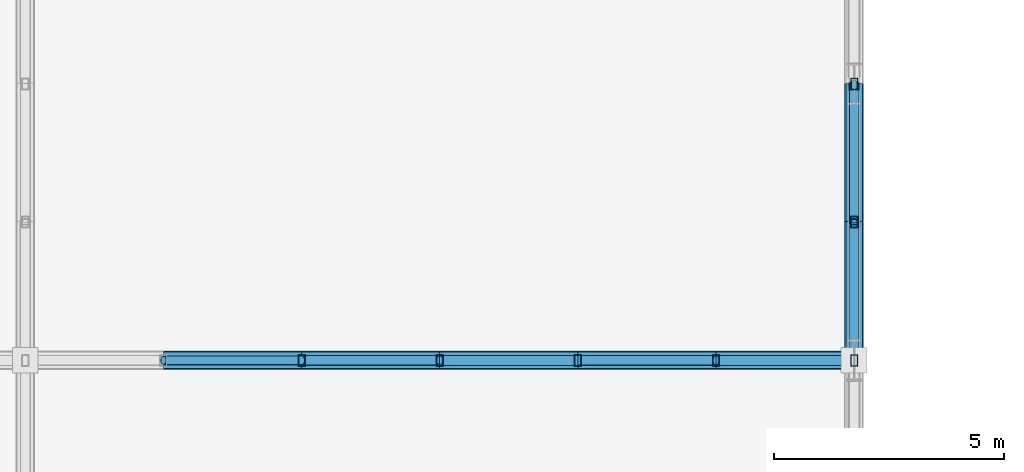
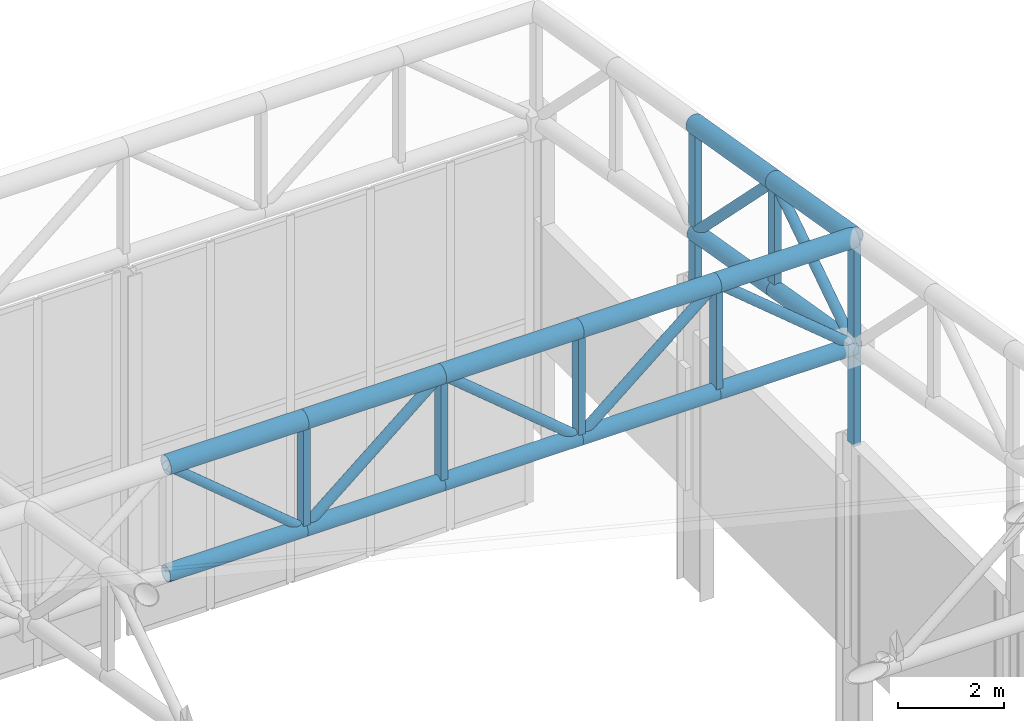
# One storey, part 135 of 239: 28 members.
"""IFC4 building model written with IfcOpenShell, lengths in metres."""

from ifc_helpers import new_model, si_unit, direction, frame, origin, origin_2d, place, context, subcontext, project, spatial, hollow_rectangle, hollow_circle, extrude, material, material_profile, profile_set, type_object, element, save


model = new_model("IFC4")

# Units and contexts
model_context = context("Model", 3, precision=1e-05, world=origin(), true_north=direction((0.0, 1.0)))
body_context = subcontext(model_context, "Body", "Model", "MODEL_VIEW")
ifc_project = project(units=[si_unit("LENGTHUNIT", "METRE"), si_unit("AREAUNIT", "SQUARE_METRE"), si_unit("VOLUMEUNIT", "CUBIC_METRE"), si_unit("PLANEANGLEUNIT", "RADIAN"), si_unit("MASSUNIT", "GRAM", prefix="KILO")], contexts=[model_context])

# Site, building, storey
site_placement = place(None, origin())
site = spatial("IfcSite", under=ifc_project, at=site_placement, CompositionType="ELEMENT")
building_placement = place(site_placement, origin())
building = spatial("IfcBuilding", under=site, at=building_placement, Name="Kaldris Quays Convention Centre", CompositionType="ELEMENT")
storey_placement = place(building_placement, frame((0.0, 0.0, 11.39990234375)))
storey = spatial("IfcBuildingStorey", under=building, at=storey_placement, Name="L02", CompositionType="ELEMENT", Elevation=11.39990234375)

# Members
ifc_material = material(Name="Steel S355J2H", Category="steel")
ifc_material_profile_1 = material_profile(ifc_material, hollow_circle(Radius=0.203125, WallThickness=0.01611328125, at=origin_2d()), Name="CHS 406.4x16")
ifc_profile_set_1 = profile_set([ifc_material_profile_1], Name="Steel S355J2H")
member_type_1 = type_object("IfcMemberType", Name="STRUCTURAL MEMBER SC01", PredefinedType="CHORD", material=ifc_profile_set_1)
for number, where, z_axis, x_axis, name in (
    (1, (131.0, 128.0, 11.72900390625), (1.0, 0.0, 0.0), (0.0, 1.0, 0.0), "SF-V1 Top Chord X 290"),
    (2, (134.0, 128.0, 11.72900390625), (1.0, 0.0, 0.0), (0.0, 1.0, 0.0), "SF-V1 Top Chord X 291"),
    (3, (137.0, 128.0, 11.72900390625), (1.0, 0.0, 0.0), (0.0, 1.0, 0.0), "SF-V1 Top Chord X 292"),
    (4, (140.0, 128.0, 11.72900390625), (1.0, 0.0, 0.0), (0.0, 1.0, 0.0), "SF-V1 Top Chord X 293"),
    (5, (143.0, 128.0, 11.72900390625), (1.0, 0.0, 0.0), (0.0, 1.0, 0.0), "SF-V1 Top Chord X 294"),
):
    element("IfcMember", number, at=place(storey_placement, frame(where, z_axis=z_axis, x_axis=x_axis)), inside=storey, type_object=member_type_1, Name=name, PredefinedType="CHORD", context=body_context, shape_type="SweptSolid", body=[
        extrude(hollow_circle(Radius=0.203125, WallThickness=0.01611328125, at=origin_2d()), origin(), (0.0, 0.0, 1.0), 3.0),
    ])
for number, where, z_axis, x_axis, name in (
    (6, (146.0, 128.0, 11.72900390625), (0.0, 0.98562912375, -0.168923741424), (-1.0, 0.0, 0.0), "SF-V1 Top Chord Y 557"),
    (7, (146.0, 131.0, 11.21484375), (0.0, 0.985615766076, -0.169001661712), (-1.0, 0.0, 0.0), "SF-V1 Top Chord Y 558"),
):
    element("IfcMember", number, at=place(storey_placement, frame(where, z_axis=z_axis, x_axis=x_axis)), inside=storey, type_object=member_type_1, Name=name, PredefinedType="CHORD", context=body_context, shape_type="SweptSolid", body=[
        extrude(hollow_circle(Radius=0.203125, WallThickness=0.01611328125, at=origin_2d()), origin(), (0.0, 0.0, 1.0), 3.043701171875),
    ])
ifc_material_profile_2 = material_profile(ifc_material, hollow_circle(Radius=0.177734375, WallThickness=0.01611328125, at=origin_2d()), Name="CHS 355.6x16")
ifc_profile_set_2 = profile_set([ifc_material_profile_2], Name="Steel S355J2H")
member_type_2 = type_object("IfcMemberType", Name="STRUCTURAL MEMBER SC02", PredefinedType="CHORD", material=ifc_profile_set_2)
for number, where, z_axis, x_axis, name in (
    (8, (131.0, 128.0, 9.22900390625), (1.0, 0.0, 0.0), (0.0, 1.0, 0.0), "SF-V1 Bottom Chord X 290"),
    (9, (134.0, 128.0, 9.22900390625), (1.0, 0.0, 0.0), (0.0, 1.0, 0.0), "SF-V1 Bottom Chord X 291"),
    (10, (137.0, 128.0, 9.22900390625), (1.0, 0.0, 0.0), (0.0, 1.0, 0.0), "SF-V1 Bottom Chord X 292"),
    (11, (140.0, 128.0, 9.22900390625), (1.0, 0.0, 0.0), (0.0, 1.0, 0.0), "SF-V1 Bottom Chord X 293"),
    (12, (143.0, 128.0, 9.22900390625), (1.0, 0.0, 0.0), (0.0, 1.0, 0.0), "SF-V1 Bottom Chord X 294"),
):
    element("IfcMember", number, at=place(storey_placement, frame(where, z_axis=z_axis, x_axis=x_axis)), inside=storey, type_object=member_type_2, Name=name, PredefinedType="CHORD", context=body_context, shape_type="SweptSolid", body=[
        extrude(hollow_circle(Radius=0.177734375, WallThickness=0.01611328125, at=origin_2d()), origin(), (0.0, 0.0, 1.0), 3.0),
    ])
for number, where, z_axis, x_axis, name in (
    (13, (146.0, 128.0, 9.22900390625), (0.0, 0.98562912375, -0.168923741424), (-1.0, 0.0, 0.0), "SF-V1 Bottom Chord Y 557"),
    (14, (146.0, 131.0, 8.71484375), (0.0, 0.985615766076, -0.169001661712), (-1.0, 0.0, 0.0), "SF-V1 Bottom Chord Y 558"),
):
    element("IfcMember", number, at=place(storey_placement, frame(where, z_axis=z_axis, x_axis=x_axis)), inside=storey, type_object=member_type_2, Name=name, PredefinedType="CHORD", context=body_context, shape_type="SweptSolid", body=[
        extrude(hollow_circle(Radius=0.177734375, WallThickness=0.01611328125, at=origin_2d()), origin(), (0.0, 0.0, 1.0), 3.043701171875),
    ])
ifc_material_profile_3 = material_profile(ifc_material, hollow_circle(Radius=0.109619140625, WallThickness=0.010009765625, at=origin_2d()), Name="CHS 219.1x10")
ifc_profile_set_3 = profile_set([ifc_material_profile_3], Name="Steel S355J2H")
member_type_3 = type_object("IfcMemberType", Name="STRUCTURAL MEMBER SWB1", PredefinedType="BRACE", material=ifc_profile_set_3)
for number, where, z_axis, x_axis, name in (
    (15, (134.0, 128.0, 9.22900390625), (0.768221279597, 0.0, 0.640184399664), (0.0, 1.0, 0.0), "SF-V1 Web Diagonal X 291"),
    (16, (140.0, 128.0, 9.22900390625), (-0.768221279597, 0.0, 0.640184399664), (0.0, -1.0, 0.0), "SF-V1 Web Diagonal X 292"),
    (17, (140.0, 128.0, 9.22900390625), (0.768221279597, 0.0, 0.640184399664), (0.0, 1.0, 0.0), "SF-V1 Web Diagonal X 293"),
    (18, (146.0, 128.0, 9.22900390625), (-0.768221279597, 0.0, 0.640184399664), (0.0, -1.0, 0.0), "SF-V1 Web Diagonal X 294"),
):
    element("IfcMember", number, at=place(storey_placement, frame(where, z_axis=z_axis, x_axis=x_axis)), inside=storey, type_object=member_type_3, Name=name, PredefinedType="BRACE", context=body_context, shape_type="SweptSolid", body=[
        extrude(hollow_circle(Radius=0.109619140625, WallThickness=0.010009765625, at=origin_2d()), origin(), (0.0, 0.0, 1.0), 3.905029296875),
    ])
member_1_placement = place(storey_placement, frame((146.0, 128.0, 9.22900390625), z_axis=(0.0, 0.833862389808, 0.551972385962), x_axis=(-1.0, 0.0, 0.0)))
element("IfcMember", 19, at=member_1_placement, inside=storey, type_object=member_type_3, Name="SF-V1 Web Diagonal Y 557", PredefinedType="BRACE", context=body_context, shape_type="SweptSolid", body=[
    extrude(hollow_circle(Radius=0.109619140625, WallThickness=0.010009765625, at=origin_2d()), origin(), (0.0, 0.0, 1.0), 3.59765625),
])
member_2_placement = place(storey_placement, frame((146.0, 134.0, 8.200439453125), z_axis=(0.0, -0.705411261057, 0.708798245465), x_axis=(1.0, 0.0, 0.0)))
element("IfcMember", 20, at=member_2_placement, inside=storey, type_object=member_type_3, Name="SF-V1 Web Diagonal Y 558", PredefinedType="BRACE", context=body_context, shape_type="SweptSolid", body=[
    extrude(hollow_circle(Radius=0.109619140625, WallThickness=0.010009765625, at=origin_2d()), origin(), (0.0, 0.0, 1.0), 4.2529296875),
])
ifc_material_profile_4 = material_profile(ifc_material, hollow_circle(Radius=0.096923828125, WallThickness=0.008056640625, at=origin_2d()), Name="CHS 193.7x8")
ifc_profile_set_4 = profile_set([ifc_material_profile_4], Name="Steel S355J2H")
member_type_4 = type_object("IfcMemberType", Name="STRUCTURAL MEMBER SWB3", PredefinedType="BRACE", material=ifc_profile_set_4)
member_3_placement = place(storey_placement, frame((134.0, 128.0, 9.22900390625), z_axis=(-0.768221279597, 0.0, 0.640184399664), x_axis=(0.0, -1.0, 0.0)))
element("IfcMember", 21, at=member_3_placement, inside=storey, type_object=member_type_4, Name="SF-V1 Web Diagonal X 290", PredefinedType="BRACE", context=body_context, shape_type="SweptSolid", body=[
    extrude(hollow_circle(Radius=0.096923828125, WallThickness=0.008056640625, at=origin_2d()), origin(), (0.0, 0.0, 1.0), 3.905029296875),
])
ifc_material_profile_5 = material_profile(ifc_material, hollow_rectangle(XDim=0.14990234375, YDim=0.25, WallThickness=0.010009765625, at=origin_2d()), Name="RHS 250x150x10")
ifc_profile_set_5 = profile_set([ifc_material_profile_5], Name="Steel S355J2H")
member_type_5 = type_object("IfcMemberType", Name="STRUCTURAL MEMBER TTV1", PredefinedType="POST", material=ifc_profile_set_5)
for number, where, z_axis, x_axis, name in (
    (22, (134.0, 128.0, 9.22900390625), (0.0, 0.0, 1.0), (1.0, 0.0, 0.0), "SF-V1 Space-Frame Post 458"),
    (23, (137.0, 128.0, 9.22900390625), (0.0, 0.0, 1.0), (1.0, 0.0, 0.0), "SF-V1 Space-Frame Post 466"),
    (24, (140.0, 128.0, 9.22900390625), (0.0, 0.0, 1.0), (1.0, 0.0, 0.0), "SF-V1 Space-Frame Post 474"),
    (25, (143.0, 128.0, 9.22900390625), (0.0, 0.0, 1.0), (1.0, 0.0, 0.0), "SF-V1 Space-Frame Post 482"),
):
    element("IfcMember", number, at=place(storey_placement, frame(where, z_axis=z_axis, x_axis=x_axis)), inside=storey, type_object=member_type_5, Name=name, PredefinedType="POST", context=body_context, shape_type="SweptSolid", body=[
        extrude(hollow_rectangle(XDim=0.14990234375, YDim=0.25, WallThickness=0.010009765625, at=origin_2d()), origin(), (0.0, 0.0, 1.0), 2.5),
    ])
member_4_placement = place(storey_placement, frame((146.0, 128.0, 6.994140625), z_axis=(0.0, 0.0, 1.0), x_axis=(1.0, 0.0, 0.0)))
element("IfcMember", 26, at=member_4_placement, inside=storey, type_object=member_type_5, Name="SF-V1 Space-Frame Post 508", PredefinedType="POST", context=body_context, shape_type="SweptSolid", body=[
    extrude(hollow_rectangle(XDim=0.14990234375, YDim=0.25, WallThickness=0.010009765625, at=origin_2d()), origin(), (0.0, 0.0, 1.0), 4.73486328125),
])
member_5_placement = place(storey_placement, frame((146.0, 131.0, 8.71484375), z_axis=(0.0, 0.0, 1.0), x_axis=(1.0, 0.0, 0.0)))
element("IfcMember", 27, at=member_5_placement, inside=storey, type_object=member_type_5, Name="SF-V1 Space-Frame Post 509", PredefinedType="POST", context=body_context, shape_type="SweptSolid", body=[
    extrude(hollow_rectangle(XDim=0.14990234375, YDim=0.25, WallThickness=0.010009765625, at=origin_2d()), origin(), (0.0, 0.0, 1.0), 2.5),
])
member_6_placement = place(storey_placement, frame((146.0, 134.0, 6.994140625), z_axis=(0.0, 0.0, 1.0), x_axis=(1.0, 0.0, 0.0)))
element("IfcMember", 28, at=member_6_placement, inside=storey, type_object=member_type_5, Name="SF-V1 Space-Frame Post 510", PredefinedType="POST", context=body_context, shape_type="SweptSolid", body=[
    extrude(hollow_rectangle(XDim=0.14990234375, YDim=0.25, WallThickness=0.010009765625, at=origin_2d()), origin(), (0.0, 0.0, 1.0), 3.706298828125),
])

save(model, "model.ifc")
